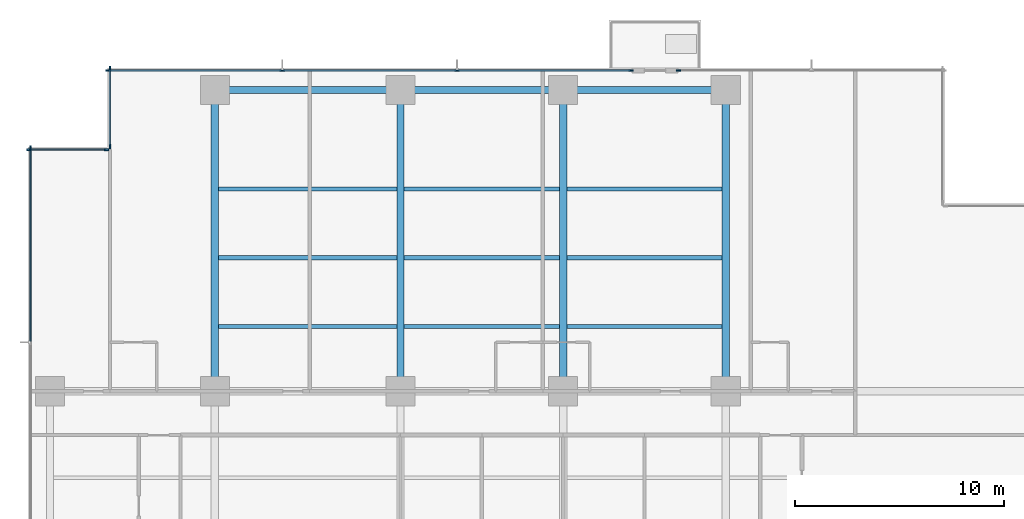
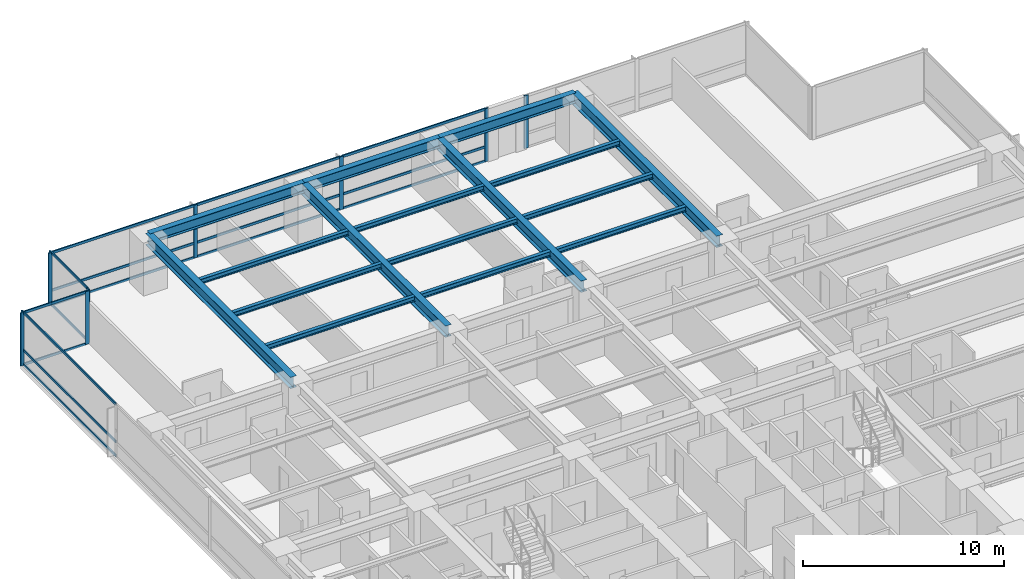
# One storey, part 4 of 16: 26 members, 16 beams, 5 elements without a shape of their own.
"""IFC4 building model written with IfcOpenShell, lengths in metres."""

from ifc_helpers import new_model, si_unit, direction, frame, origin, origin_2d, place, context, subcontext, project, spatial, rectangle, i_section, extrude, material, layer, layer_set, material_profile, profile_set, type_object, element, aggregate, save


model = new_model("IFC4")

# Units and contexts
model_context = context("Model", 3, precision=1e-05, world=origin(), true_north=direction((0.0, 1.0)))
body_context = subcontext(model_context, "Body", "Model", "MODEL_VIEW")
ifc_project = project(units=[si_unit("LENGTHUNIT", "METRE"), si_unit("AREAUNIT", "SQUARE_METRE"), si_unit("VOLUMEUNIT", "CUBIC_METRE"), si_unit("PLANEANGLEUNIT", "RADIAN"), si_unit("MASSUNIT", "GRAM", prefix="KILO")], contexts=[model_context])

# Site, building, storey
site_placement = place(None, origin())
site = spatial("IfcSite", under=ifc_project, at=site_placement, CompositionType="ELEMENT")
building_placement = place(site_placement, origin())
building = spatial("IfcBuilding", under=site, at=building_placement, Name="Qalmaran Belvedere Hotel", CompositionType="ELEMENT")
storey_placement = place(building_placement, frame((0.0, 0.0, 50.89990234375)))
storey = spatial("IfcBuildingStorey", under=building, at=storey_placement, Name="L12", CompositionType="ELEMENT", Elevation=50.89990234375)

# Beams
ifc_material_1 = material(Name="Steel S355JR", Category="steel")
ifc_material_profile_1 = material_profile(ifc_material_1, i_section(OverallWidth=0.202880859375, OverallDepth=0.302978515625, WebThickness=0.007568359375, FlangeThickness=0.01318359375, FilletRadius=0.012939453125, at=origin_2d()), Name="W310X60")
ifc_profile_set_1 = profile_set([ifc_material_profile_1], Name="Steel S355JR")
beam_type_1 = type_object("IfcBeamType", Name="BM-JST-W310X60", PredefinedType="JOIST", material=ifc_profile_set_1)
beam_1_placement = place(storey_placement, frame((20.4755859375, 36.10009765625, 3.068603515625), z_axis=(1.0, 0.0, 0.0), x_axis=(0.0, 1.0, 0.0)))
element("IfcBeam", 1, at=beam_1_placement, inside=storey, type_object=beam_type_1, Name="L12 North Floor Joist 042", PredefinedType="JOIST", context=body_context, shape_type="SweptSolid", body=[
    extrude(i_section(OverallWidth=0.202880859375, OverallDepth=0.302978515625, WebThickness=0.007568359375, FlangeThickness=0.01318359375, FilletRadius=0.012939453125, at=origin_2d()), origin(), (0.0, 0.0, 1.0), 8.548828125),
])
for number, where, z_axis, x_axis, name in (
    (2, (29.37548828125, 36.10009765625, 3.068603515625), (1.0, 0.0, 0.0), (0.0, 1.0, 0.0), "L12 North Floor Joist 043"),
    (3, (37.175537109375, 36.10009765625, 3.068603515625), (1.0, 0.0, 0.0), (0.0, 1.0, 0.0), "L12 North Floor Joist 044"),
):
    element("IfcBeam", number, at=place(storey_placement, frame(where, z_axis=z_axis, x_axis=x_axis)), inside=storey, type_object=beam_type_1, Name=name, PredefinedType="JOIST", context=body_context, shape_type="SweptSolid", body=[
        extrude(i_section(OverallWidth=0.202880859375, OverallDepth=0.302978515625, WebThickness=0.007568359375, FlangeThickness=0.01318359375, FilletRadius=0.012939453125, at=origin_2d()), origin(), (0.0, 0.0, 1.0), 7.448974609375),
    ])
beam_2_placement = place(storey_placement, frame((20.4755859375, 39.39990234375, 3.068603515625), z_axis=(1.0, 0.0, 0.0), x_axis=(0.0, 1.0, 0.0)))
element("IfcBeam", 4, at=beam_2_placement, inside=storey, type_object=beam_type_1, Name="L12 North Floor Joist 045", PredefinedType="JOIST", context=body_context, shape_type="SweptSolid", body=[
    extrude(i_section(OverallWidth=0.202880859375, OverallDepth=0.302978515625, WebThickness=0.007568359375, FlangeThickness=0.01318359375, FilletRadius=0.012939453125, at=origin_2d()), origin(), (0.0, 0.0, 1.0), 8.548828125),
])
for number, where, z_axis, x_axis, name in (
    (5, (29.37548828125, 39.39990234375, 3.068603515625), (1.0, 0.0, 0.0), (0.0, 1.0, 0.0), "L12 North Floor Joist 046"),
    (6, (37.175537109375, 39.39990234375, 3.068603515625), (1.0, 0.0, 0.0), (0.0, 1.0, 0.0), "L12 North Floor Joist 047"),
):
    element("IfcBeam", number, at=place(storey_placement, frame(where, z_axis=z_axis, x_axis=x_axis)), inside=storey, type_object=beam_type_1, Name=name, PredefinedType="JOIST", context=body_context, shape_type="SweptSolid", body=[
        extrude(i_section(OverallWidth=0.202880859375, OverallDepth=0.302978515625, WebThickness=0.007568359375, FlangeThickness=0.01318359375, FilletRadius=0.012939453125, at=origin_2d()), origin(), (0.0, 0.0, 1.0), 7.448974609375),
    ])
beam_3_placement = place(storey_placement, frame((20.4755859375, 42.699951171875, 3.068603515625), z_axis=(1.0, 0.0, 0.0), x_axis=(0.0, 1.0, 0.0)))
element("IfcBeam", 7, at=beam_3_placement, inside=storey, type_object=beam_type_1, Name="L12 North Floor Joist 048", PredefinedType="JOIST", context=body_context, shape_type="SweptSolid", body=[
    extrude(i_section(OverallWidth=0.202880859375, OverallDepth=0.302978515625, WebThickness=0.007568359375, FlangeThickness=0.01318359375, FilletRadius=0.012939453125, at=origin_2d()), origin(), (0.0, 0.0, 1.0), 8.548828125),
])
for number, where, z_axis, x_axis, name in (
    (8, (29.37548828125, 42.699951171875, 3.068603515625), (1.0, 0.0, 0.0), (0.0, 1.0, 0.0), "L12 North Floor Joist 049"),
    (9, (37.175537109375, 42.699951171875, 3.068603515625), (1.0, 0.0, 0.0), (0.0, 1.0, 0.0), "L12 North Floor Joist 050"),
):
    element("IfcBeam", number, at=place(storey_placement, frame(where, z_axis=z_axis, x_axis=x_axis)), inside=storey, type_object=beam_type_1, Name=name, PredefinedType="JOIST", context=body_context, shape_type="SweptSolid", body=[
        extrude(i_section(OverallWidth=0.202880859375, OverallDepth=0.302978515625, WebThickness=0.007568359375, FlangeThickness=0.01318359375, FilletRadius=0.012939453125, at=origin_2d()), origin(), (0.0, 0.0, 1.0), 7.448974609375),
    ])
ifc_material_profile_2 = material_profile(ifc_material_1, i_section(OverallWidth=0.326904296875, OverallDepth=0.6220703125, WebThickness=0.015380859375, FlangeThickness=0.0244140625, FilletRadius=0.02001953125, at=origin_2d()), Name="W610X195")
ifc_profile_set_2 = profile_set([ifc_material_profile_2], Name="Steel S355JR")
beam_type_2 = type_object("IfcBeamType", Name="BM-SP1-W610X195", PredefinedType="SPANDREL", material=ifc_profile_set_2)
beam_4_placement = place(storey_placement, frame((20.300048828125, 47.449951171875, 2.9091796875), z_axis=(1.0, 0.0, 0.0), x_axis=(0.0, 1.0, 0.0)))
element("IfcBeam", 10, at=beam_4_placement, inside=storey, type_object=beam_type_2, Name="L12 Perimeter Spandrel 05", PredefinedType="SPANDREL", context=body_context, shape_type="SweptSolid", body=[
    extrude(i_section(OverallWidth=0.326904296875, OverallDepth=0.6220703125, WebThickness=0.015380859375, FlangeThickness=0.0244140625, FilletRadius=0.02001953125, at=origin_2d()), origin(), (0.0, 0.0, 1.0), 8.89990234375),
])
for number, where, z_axis, x_axis, name in (
    (11, (29.199951171875, 47.449951171875, 2.9091796875), (1.0, 0.0, 0.0), (0.0, 1.0, 0.0), "L12 Perimeter Spandrel 06"),
    (12, (37.0, 47.449951171875, 2.9091796875), (1.0, 0.0, 0.0), (0.0, 1.0, 0.0), "L12 Perimeter Spandrel 07"),
):
    element("IfcBeam", number, at=place(storey_placement, frame(where, z_axis=z_axis, x_axis=x_axis)), inside=storey, type_object=beam_type_2, Name=name, PredefinedType="SPANDREL", context=body_context, shape_type="SweptSolid", body=[
        extrude(i_section(OverallWidth=0.326904296875, OverallDepth=0.6220703125, WebThickness=0.015380859375, FlangeThickness=0.0244140625, FilletRadius=0.02001953125, at=origin_2d()), origin(), (0.0, 0.0, 1.0), 7.800048828125),
    ])
ifc_material_profile_3 = material_profile(ifc_material_1, i_section(OverallWidth=0.35498046875, OverallDepth=0.695068359375, WebThickness=0.015380859375, FlangeThickness=0.02490234375, FilletRadius=0.02197265625, at=origin_2d()), Name="W690X217")
ifc_profile_set_3 = profile_set([ifc_material_profile_3], Name="Steel S355JR")
beam_type_3 = type_object("IfcBeamType", Name="BM-Z1-W690X217", PredefinedType="USERDEFINED", material=ifc_profile_set_3)
for number, where, z_axis, x_axis, name in (
    (13, (20.300048828125, 33.0, 2.87255859375), (0.0, 1.0, 0.0), (-1.0, 0.0, 0.0), "L12 North Bay Girder 15"),
    (14, (29.199951171875, 33.0, 2.87255859375), (0.0, 1.0, 0.0), (-1.0, 0.0, 0.0), "L12 North Bay Girder 17"),
    (15, (37.0, 33.0, 2.87255859375), (0.0, 1.0, 0.0), (-1.0, 0.0, 0.0), "L12 North Bay Girder 19"),
    (16, (44.800048828125, 33.0, 2.87255859375), (0.0, 1.0, 0.0), (-1.0, 0.0, 0.0), "L12 North Bay Girder 21"),
):
    element("IfcBeam", number, at=place(storey_placement, frame(where, z_axis=z_axis, x_axis=x_axis)), inside=storey, type_object=beam_type_3, Name=name, ObjectType="GIRDER", PredefinedType="USERDEFINED", context=body_context, shape_type="SweptSolid", body=[
        extrude(i_section(OverallWidth=0.35498046875, OverallDepth=0.695068359375, WebThickness=0.015380859375, FlangeThickness=0.02490234375, FilletRadius=0.02197265625, at=origin_2d()), origin(), (0.0, 0.0, 1.0), 14.449951171875),
    ])

# Curtain wall, members
ifc_material_2 = material(Name="Anodised Bronze Aluminium", Category="aluminium")
ifc_layer = layer(ifc_material_2, 0.2099609375, Name="Anodised Bronze Aluminium")
ifc_layer_set = layer_set([ifc_layer], Name="Anodised Bronze Aluminium")
curtain_wall_type = type_object("IfcCurtainWallType", Name="CW2-TOWER-LOWER", PredefinedType="NOTDEFINED", material=ifc_layer_set)
curtain_wall_1_placement = place(storey_placement, origin())
curtain_wall_1 = element("IfcCurtainWall", 17, at=curtain_wall_1_placement, inside=storey, type_object=curtain_wall_type, Name="L12 Curtain Wall CW2", PredefinedType="NOTDEFINED")
ifc_material_profile_4 = material_profile(ifc_material_2, rectangle(XDim=0.074951171875, YDim=0.219970703125, at=origin_2d()), Name="CWM75X220")
ifc_profile_set_4 = profile_set([ifc_material_profile_4], Name="Anodised Bronze Aluminium")
member_type_1 = type_object("IfcMemberType", Name="CWM-75X220", PredefinedType="MULLION", material=ifc_profile_set_4)
member_1_placement = place(storey_placement, frame((40.262451171875, 48.3798828125, 0.0), z_axis=(0.0, 0.0, 1.0), x_axis=(0.0, -1.0, 0.0)))
member_1 = element("IfcMember", 18, at=member_1_placement, type_object=member_type_1, Name="CW2 mullion 1", PredefinedType="MULLION", context=body_context, shape_type="SweptSolid", body=[
    extrude(rectangle(XDim=0.074951171875, YDim=0.219970703125, at=origin_2d()), origin(), (0.0, 0.0, 1.0), 3.22021484375),
])
member_2_placement = place(storey_placement, frame((31.916748046875, 48.3798828125, 0.0), z_axis=(0.0, 0.0, 1.0), x_axis=(0.0, -1.0, 0.0)))
member_2 = element("IfcMember", 19, at=member_2_placement, type_object=member_type_1, Name="CW2 mullion 2", PredefinedType="MULLION", context=body_context, shape_type="SweptSolid", body=[
    extrude(rectangle(XDim=0.074951171875, YDim=0.219970703125, at=origin_2d()), origin(), (0.0, 0.0, 1.0), 3.22021484375),
])
member_3_placement = place(storey_placement, frame((23.533447265625, 48.3798828125, 0.0), z_axis=(0.0, 0.0, 1.0), x_axis=(0.0, -1.0, 0.0)))
member_3 = element("IfcMember", 20, at=member_3_placement, type_object=member_type_1, Name="CW2 mullion 3", PredefinedType="MULLION", context=body_context, shape_type="SweptSolid", body=[
    extrude(rectangle(XDim=0.074951171875, YDim=0.219970703125, at=origin_2d()), origin(), (0.0, 0.0, 1.0), 3.22021484375),
])
member_4_placement = place(storey_placement, frame((15.1875, 48.3798828125, 0.0), z_axis=(0.0, 0.0, 1.0), x_axis=(0.0, -1.0, 0.0)))
member_4 = element("IfcMember", 21, at=member_4_placement, type_object=member_type_1, Name="CW2 mullion 4", PredefinedType="MULLION", context=body_context, shape_type="SweptSolid", body=[
    extrude(rectangle(XDim=0.074951171875, YDim=0.219970703125, at=origin_2d()), origin(), (0.0, 0.0, 1.0), 3.22021484375),
])

# Curtain wall, member
curtain_wall_2_placement = place(storey_placement, origin())
curtain_wall_2 = element("IfcCurtainWall", 22, at=curtain_wall_2_placement, inside=storey, type_object=curtain_wall_type, Name="L12 Curtain Wall CW2", PredefinedType="NOTDEFINED")
member_5_placement = place(storey_placement, frame((42.53759765625, 48.3798828125, 0.0), z_axis=(0.0, 0.0, 1.0), x_axis=(0.0, -1.0, 0.0)))
member_5 = element("IfcMember", 23, at=member_5_placement, type_object=member_type_1, Name="CW2 mullion 3", PredefinedType="MULLION", context=body_context, shape_type="SweptSolid", body=[
    extrude(rectangle(XDim=0.074951171875, YDim=0.219970703125, at=origin_2d()), origin(), (0.0, 0.0, 1.0), 3.22021484375),
])
aggregate(curtain_wall_2, [member_5])

# Curtain wall, members
curtain_wall_3_placement = place(storey_placement, origin())
curtain_wall_3 = element("IfcCurtainWall", 24, at=curtain_wall_3_placement, inside=storey, type_object=curtain_wall_type, Name="L12 Curtain Wall CW2", PredefinedType="NOTDEFINED")
member_6_placement = place(storey_placement, frame((15.27001953125, 48.46240234375, 0.0), z_axis=(0.0, 0.0, 1.0), x_axis=(1.0, 0.0, 0.0)))
member_6 = element("IfcMember", 25, at=member_6_placement, type_object=member_type_1, Name="CW2 mullion 1", PredefinedType="MULLION", context=body_context, shape_type="SweptSolid", body=[
    extrude(rectangle(XDim=0.074951171875, YDim=0.219970703125, at=origin_2d()), origin(), (0.0, 0.0, 1.0), 3.22021484375),
])
member_7_placement = place(storey_placement, frame((15.27001953125, 44.737548828125, 0.0), z_axis=(0.0, 0.0, 1.0), x_axis=(1.0, 0.0, 0.0)))
member_7 = element("IfcMember", 26, at=member_7_placement, type_object=member_type_1, Name="CW2 mullion 2", PredefinedType="MULLION", context=body_context, shape_type="SweptSolid", body=[
    extrude(rectangle(XDim=0.074951171875, YDim=0.219970703125, at=origin_2d()), origin(), (0.0, 0.0, 1.0), 3.22021484375),
])

curtain_wall_4_placement = place(storey_placement, origin())
curtain_wall_4 = element("IfcCurtainWall", 27, at=curtain_wall_4_placement, inside=storey, type_object=curtain_wall_type, Name="L12 Curtain Wall CW2", PredefinedType="NOTDEFINED")
member_8_placement = place(storey_placement, frame((15.112548828125, 44.580078125, 0.0), z_axis=(0.0, 0.0, 1.0), x_axis=(0.0, -1.0, 0.0)))
member_8 = element("IfcMember", 28, at=member_8_placement, type_object=member_type_1, Name="CW2 mullion 1", PredefinedType="MULLION", context=body_context, shape_type="SweptSolid", body=[
    extrude(rectangle(XDim=0.074951171875, YDim=0.219970703125, at=origin_2d()), origin(), (0.0, 0.0, 1.0), 3.22021484375),
])
member_9_placement = place(storey_placement, frame((11.387451171875, 44.580078125, 0.0), z_axis=(0.0, 0.0, 1.0), x_axis=(0.0, -1.0, 0.0)))
member_9 = element("IfcMember", 29, at=member_9_placement, type_object=member_type_1, Name="CW2 mullion 2", PredefinedType="MULLION", context=body_context, shape_type="SweptSolid", body=[
    extrude(rectangle(XDim=0.074951171875, YDim=0.219970703125, at=origin_2d()), origin(), (0.0, 0.0, 1.0), 3.22021484375),
])

# Curtain wall, member
curtain_wall_5_placement = place(storey_placement, origin())
curtain_wall_5 = element("IfcCurtainWall", 30, at=curtain_wall_5_placement, inside=storey, type_object=curtain_wall_type, Name="L12 Curtain Wall CW2", PredefinedType="NOTDEFINED")
member_10_placement = place(storey_placement, frame((11.469970703125, 44.66259765625, 0.0), z_axis=(0.0, 0.0, 1.0), x_axis=(1.0, 0.0, 0.0)))
member_10 = element("IfcMember", 31, at=member_10_placement, type_object=member_type_1, Name="CW2 mullion 1", PredefinedType="MULLION", context=body_context, shape_type="SweptSolid", body=[
    extrude(rectangle(XDim=0.074951171875, YDim=0.219970703125, at=origin_2d()), origin(), (0.0, 0.0, 1.0), 3.22021484375),
])

# Member
ifc_material_profile_5 = material_profile(ifc_material_2, rectangle(XDim=0.070068359375, YDim=0.14990234375, at=origin_2d()), Name="CWT70X150")
ifc_profile_set_5 = profile_set([ifc_material_profile_5], Name="Anodised Bronze Aluminium")
member_type_2 = type_object("IfcMemberType", Name="CWT-70X150", PredefinedType="USERDEFINED", material=ifc_profile_set_5)
member_11_placement = place(storey_placement, frame((40.22509765625, 48.3798828125, 0.03515625), z_axis=(-1.0, 0.0, 0.0), x_axis=(0.0, -1.0, 0.0)))
member_11 = element("IfcMember", 32, at=member_11_placement, type_object=member_type_2, Name="CW2 transom 1.1", ObjectType="TRANSOM", PredefinedType="USERDEFINED", context=body_context, shape_type="SweptSolid", body=[
    extrude(rectangle(XDim=0.070068359375, YDim=0.14990234375, at=origin_2d()), origin(), (0.0, 0.0, 1.0), 8.27099609375),
])

member_12_placement = place(storey_placement, frame((40.22509765625, 48.3798828125, 0.901611328125), z_axis=(-1.0, 0.0, 0.0), x_axis=(0.0, -1.0, 0.0)))
member_12 = element("IfcMember", 33, at=member_12_placement, type_object=member_type_2, Name="CW2 transom 1.2", ObjectType="TRANSOM", PredefinedType="USERDEFINED", context=body_context, shape_type="SweptSolid", body=[
    extrude(rectangle(XDim=0.070068359375, YDim=0.14990234375, at=origin_2d()), origin(), (0.0, 0.0, 1.0), 8.27099609375),
])

member_13_placement = place(storey_placement, frame((40.22509765625, 48.3798828125, 3.18505859375), z_axis=(-1.0, 0.0, 0.0), x_axis=(0.0, -1.0, 0.0)))
member_13 = element("IfcMember", 34, at=member_13_placement, type_object=member_type_2, Name="CW2 transom 1.3", ObjectType="TRANSOM", PredefinedType="USERDEFINED", context=body_context, shape_type="SweptSolid", body=[
    extrude(rectangle(XDim=0.070068359375, YDim=0.14990234375, at=origin_2d()), origin(), (0.0, 0.0, 1.0), 8.27099609375),
])

member_14_placement = place(storey_placement, frame((31.879150390625, 48.3798828125, 0.03515625), z_axis=(-1.0, 0.0, 0.0), x_axis=(0.0, -1.0, 0.0)))
member_14 = element("IfcMember", 35, at=member_14_placement, type_object=member_type_2, Name="CW2 transom 2.1", ObjectType="TRANSOM", PredefinedType="USERDEFINED", context=body_context, shape_type="SweptSolid", body=[
    extrude(rectangle(XDim=0.070068359375, YDim=0.14990234375, at=origin_2d()), origin(), (0.0, 0.0, 1.0), 8.308349609375),
])

member_15_placement = place(storey_placement, frame((31.879150390625, 48.3798828125, 0.901611328125), z_axis=(-1.0, 0.0, 0.0), x_axis=(0.0, -1.0, 0.0)))
member_15 = element("IfcMember", 36, at=member_15_placement, type_object=member_type_2, Name="CW2 transom 2.2", ObjectType="TRANSOM", PredefinedType="USERDEFINED", context=body_context, shape_type="SweptSolid", body=[
    extrude(rectangle(XDim=0.070068359375, YDim=0.14990234375, at=origin_2d()), origin(), (0.0, 0.0, 1.0), 8.308349609375),
])

member_16_placement = place(storey_placement, frame((31.879150390625, 48.3798828125, 3.18505859375), z_axis=(-1.0, 0.0, 0.0), x_axis=(0.0, -1.0, 0.0)))
member_16 = element("IfcMember", 37, at=member_16_placement, type_object=member_type_2, Name="CW2 transom 2.3", ObjectType="TRANSOM", PredefinedType="USERDEFINED", context=body_context, shape_type="SweptSolid", body=[
    extrude(rectangle(XDim=0.070068359375, YDim=0.14990234375, at=origin_2d()), origin(), (0.0, 0.0, 1.0), 8.308349609375),
])

member_17_placement = place(storey_placement, frame((23.495849609375, 48.3798828125, 0.03515625), z_axis=(-1.0, 0.0, 0.0), x_axis=(0.0, -1.0, 0.0)))
member_17 = element("IfcMember", 38, at=member_17_placement, type_object=member_type_2, Name="CW2 transom 3.1", ObjectType="TRANSOM", PredefinedType="USERDEFINED", context=body_context, shape_type="SweptSolid", body=[
    extrude(rectangle(XDim=0.070068359375, YDim=0.14990234375, at=origin_2d()), origin(), (0.0, 0.0, 1.0), 8.270751953125),
])

member_18_placement = place(storey_placement, frame((23.495849609375, 48.3798828125, 0.901611328125), z_axis=(-1.0, 0.0, 0.0), x_axis=(0.0, -1.0, 0.0)))
member_18 = element("IfcMember", 39, at=member_18_placement, type_object=member_type_2, Name="CW2 transom 3.2", ObjectType="TRANSOM", PredefinedType="USERDEFINED", context=body_context, shape_type="SweptSolid", body=[
    extrude(rectangle(XDim=0.070068359375, YDim=0.14990234375, at=origin_2d()), origin(), (0.0, 0.0, 1.0), 8.270751953125),
])

member_19_placement = place(storey_placement, frame((23.495849609375, 48.3798828125, 3.18505859375), z_axis=(-1.0, 0.0, 0.0), x_axis=(0.0, -1.0, 0.0)))
member_19 = element("IfcMember", 40, at=member_19_placement, type_object=member_type_2, Name="CW2 transom 3.3", ObjectType="TRANSOM", PredefinedType="USERDEFINED", context=body_context, shape_type="SweptSolid", body=[
    extrude(rectangle(XDim=0.070068359375, YDim=0.14990234375, at=origin_2d()), origin(), (0.0, 0.0, 1.0), 8.270751953125),
])

aggregate(curtain_wall_1, [member_1, member_2, member_3, member_4, member_11, member_12, member_13, member_14, member_15, member_16, member_17, member_18, member_19])

member_20_placement = place(storey_placement, frame((15.27001953125, 48.425048828125, 0.03515625), z_axis=(0.0, -1.0, 0.0), x_axis=(1.0, 0.0, 0.0)))
member_20 = element("IfcMember", 41, at=member_20_placement, type_object=member_type_2, Name="CW2 transom 1.1", ObjectType="TRANSOM", PredefinedType="USERDEFINED", context=body_context, shape_type="SweptSolid", body=[
    extrude(rectangle(XDim=0.070068359375, YDim=0.14990234375, at=origin_2d()), origin(), (0.0, 0.0, 1.0), 3.650146484375),
])

member_21_placement = place(storey_placement, frame((15.27001953125, 48.425048828125, 3.18505859375), z_axis=(0.0, -1.0, 0.0), x_axis=(1.0, 0.0, 0.0)))
member_21 = element("IfcMember", 42, at=member_21_placement, type_object=member_type_2, Name="CW2 transom 1.2", ObjectType="TRANSOM", PredefinedType="USERDEFINED", context=body_context, shape_type="SweptSolid", body=[
    extrude(rectangle(XDim=0.070068359375, YDim=0.14990234375, at=origin_2d()), origin(), (0.0, 0.0, 1.0), 3.650146484375),
])

aggregate(curtain_wall_3, [member_6, member_7, member_20, member_21])

member_22_placement = place(storey_placement, frame((15.074951171875, 44.580078125, 0.03515625), z_axis=(-1.0, 0.0, 0.0), x_axis=(0.0, -1.0, 0.0)))
member_22 = element("IfcMember", 43, at=member_22_placement, type_object=member_type_2, Name="CW2 transom 1.1", ObjectType="TRANSOM", PredefinedType="USERDEFINED", context=body_context, shape_type="SweptSolid", body=[
    extrude(rectangle(XDim=0.070068359375, YDim=0.14990234375, at=origin_2d()), origin(), (0.0, 0.0, 1.0), 3.64990234375),
])

member_23_placement = place(storey_placement, frame((15.074951171875, 44.580078125, 3.18505859375), z_axis=(-1.0, 0.0, 0.0), x_axis=(0.0, -1.0, 0.0)))
member_23 = element("IfcMember", 44, at=member_23_placement, type_object=member_type_2, Name="CW2 transom 1.2", ObjectType="TRANSOM", PredefinedType="USERDEFINED", context=body_context, shape_type="SweptSolid", body=[
    extrude(rectangle(XDim=0.070068359375, YDim=0.14990234375, at=origin_2d()), origin(), (0.0, 0.0, 1.0), 3.64990234375),
])

aggregate(curtain_wall_4, [member_8, member_9, member_22, member_23])

member_24_placement = place(storey_placement, frame((11.469970703125, 44.625, 0.03515625), z_axis=(0.0, -1.0, 0.0), x_axis=(1.0, 0.0, 0.0)))
member_24 = element("IfcMember", 45, at=member_24_placement, type_object=member_type_2, Name="CW2 transom 1.1", ObjectType="TRANSOM", PredefinedType="USERDEFINED", context=body_context, shape_type="SweptSolid", body=[
    extrude(rectangle(XDim=0.070068359375, YDim=0.14990234375, at=origin_2d()), origin(), (0.0, 0.0, 1.0), 9.237548828125),
])

member_25_placement = place(storey_placement, frame((11.469970703125, 44.625, 0.901611328125), z_axis=(0.0, -1.0, 0.0), x_axis=(1.0, 0.0, 0.0)))
member_25 = element("IfcMember", 46, at=member_25_placement, type_object=member_type_2, Name="CW2 transom 1.2", ObjectType="TRANSOM", PredefinedType="USERDEFINED", context=body_context, shape_type="SweptSolid", body=[
    extrude(rectangle(XDim=0.070068359375, YDim=0.14990234375, at=origin_2d()), origin(), (0.0, 0.0, 1.0), 9.237548828125),
])

member_26_placement = place(storey_placement, frame((11.469970703125, 44.625, 3.18505859375), z_axis=(0.0, -1.0, 0.0), x_axis=(1.0, 0.0, 0.0)))
member_26 = element("IfcMember", 47, at=member_26_placement, type_object=member_type_2, Name="CW2 transom 1.3", ObjectType="TRANSOM", PredefinedType="USERDEFINED", context=body_context, shape_type="SweptSolid", body=[
    extrude(rectangle(XDim=0.070068359375, YDim=0.14990234375, at=origin_2d()), origin(), (0.0, 0.0, 1.0), 9.237548828125),
])

aggregate(curtain_wall_5, [member_10, member_24, member_25, member_26])

save(model, "model.ifc")
